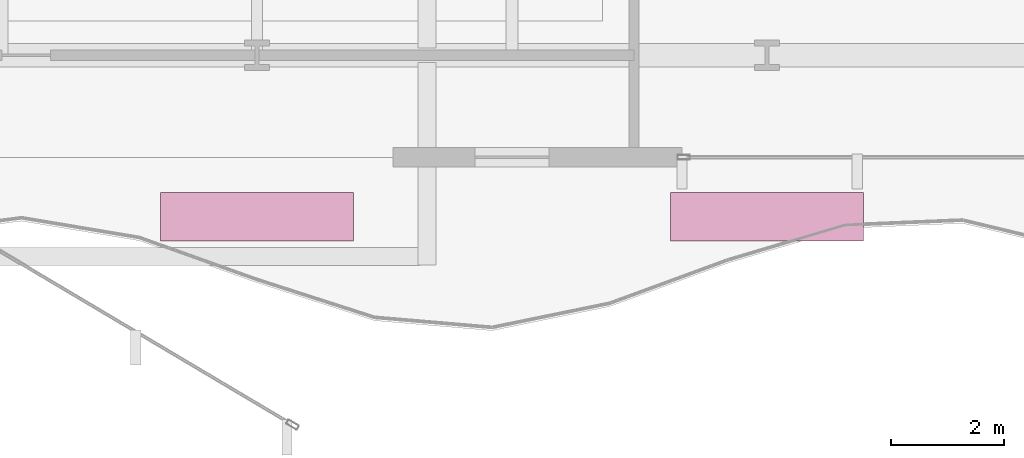
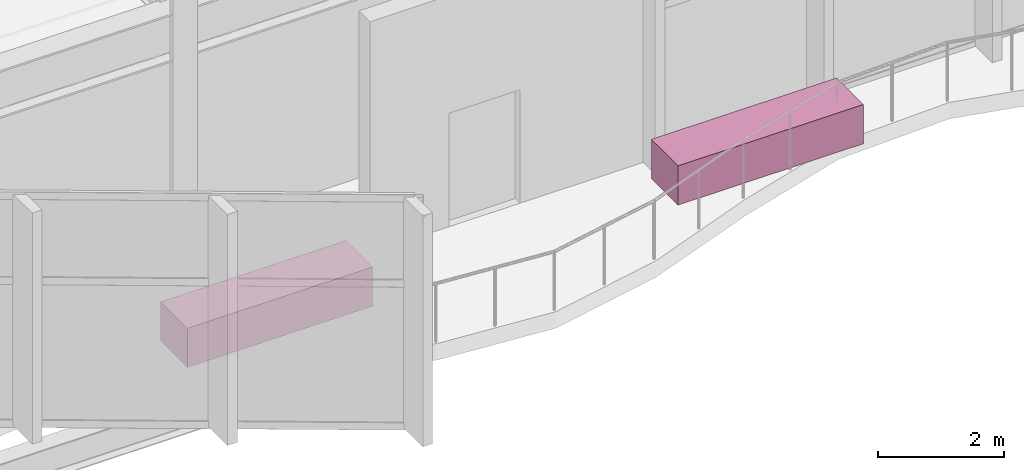
# One storey, part 29 of 29: 2 furnishings.
"""IFC4 building model written with IfcOpenShell, lengths in metres."""

import ifcopenshell
import ifcopenshell.guid

model = None  # the IFC model being written
_history = None  # IfcOwnerHistory: only IFC2X3 demands one
_inside = {}  # id of a spatial element -> (the spatial element, [elements in it])
_under = {}  # id of a project, library or spatial element -> (it, [spatial elements below it])
_declared = {}  # id of a project -> (the project, [libraries it declares])
_typed = {}  # id of a type object -> (the type object, [elements of that type])
_made_of = {}  # id of a material, layer set ... -> (it, [elements and type objects made of it])


def new_model(schema):
    """Start an empty IFC model of exactly this schema.

    Asked for "IFC4X3", IfcOpenShell would pick the latest addendum, in which some entities
    have other attributes; the version numbers below select the first issue.
    IFC2X3 requires an IfcOwnerHistory on every rooted entity: one is made here for all.
    """
    global model, _history
    if schema == "IFC4X3":
        model = ifcopenshell.file(schema_version=(4, 3, 0, 0))
    else:
        model = ifcopenshell.file(schema=schema)
    _inside.clear()
    _under.clear()
    _declared.clear()
    _typed.clear()
    _made_of.clear()
    _history = None
    if model.schema == "IFC2X3":
        org = make("IfcOrganization", Name="unknown")
        user = make(
            "IfcPersonAndOrganization",
            ThePerson=make("IfcPerson", FamilyName="unknown"),
            TheOrganization=org,
        )
        app = make(
            "IfcApplication",
            ApplicationDeveloper=org,
            Version="unknown",
            ApplicationFullName="unknown",
            ApplicationIdentifier="unknown",
        )
        _history = make(
            "IfcOwnerHistory",
            OwningUser=user,
            OwningApplication=app,
            ChangeAction="ADDED",
            CreationDate=0,
        )
    return model


def make(cls, **values):
    """One entity of the class cls with the attributes given. An attribute that is None is left unset."""
    return model.create_entity(
        cls, **{name: value for name, value in values.items() if value is not None}
    )


def rooted(cls, **values):
    """An entity with a GlobalId (a new one), such as an element, a storey or a relation."""
    return make(cls, GlobalId=ifcopenshell.guid.new(), OwnerHistory=_history, **values)


def si_unit(unit_type, name, prefix=None):
    """IfcSIUnit, for example si_unit("LENGTHUNIT", "METRE", prefix="MILLI")."""
    return make("IfcSIUnit", UnitType=unit_type, Prefix=prefix, Name=name)


def assignment(units):
    """IfcUnitAssignment: the units of a project."""
    return None if units is None else make("IfcUnitAssignment", Units=units)


def point(xyz):
    """IfcCartesianPoint."""
    return None if xyz is None else make("IfcCartesianPoint", Coordinates=xyz)


def direction(xyz):
    """IfcDirection."""
    return None if xyz is None else make("IfcDirection", DirectionRatios=xyz)


def frame(location, z_axis=None, x_axis=None):
    """IfcAxis2Placement3D, a coordinate frame: its origin and axes. An axis left out is left unset."""
    return make(
        "IfcAxis2Placement3D",
        Location=point(location),
        Axis=direction(z_axis),
        RefDirection=direction(x_axis),
    )


def frame_2d(location, x_axis=None):
    """IfcAxis2Placement2D, a coordinate frame in the plane: its origin and x axis."""
    return make(
        "IfcAxis2Placement2D", Location=point(location), RefDirection=direction(x_axis)
    )


def origin():
    """The frame at (0, 0, 0) with its axes left unset."""
    return frame((0.0, 0.0, 0.0))


def origin_2d():
    """The frame at (0, 0) in the plane with its x axis left unset."""
    return frame_2d((0.0, 0.0))


def place(relative_to, where):
    """IfcLocalPlacement: puts the frame where relative to a parent placement (None: the world)."""
    return make(
        "IfcLocalPlacement", PlacementRelTo=relative_to, RelativePlacement=where
    )


def context(
    kind, dimensions, precision=None, world=None, true_north=None, identifier=None
):
    """IfcGeometricRepresentationContext, for example the 3D "Model" context."""
    return make(
        "IfcGeometricRepresentationContext",
        ContextIdentifier=identifier,
        ContextType=kind,
        CoordinateSpaceDimension=dimensions,
        Precision=precision,
        WorldCoordinateSystem=world,
        TrueNorth=true_north,
    )


def subcontext(parent, identifier, kind, view, scale=None):
    """IfcGeometricRepresentationSubContext, for example "Body" below "Model"."""
    return make(
        "IfcGeometricRepresentationSubContext",
        ContextIdentifier=identifier,
        ContextType=kind,
        ParentContext=parent,
        TargetScale=scale,
        TargetView=view,
    )


def project(units=None, contexts=None):
    """IfcProject with its units and contexts."""
    return rooted(
        "IfcProject",
        Name="project",
        RepresentationContexts=contexts,
        UnitsInContext=assignment(units),
    )


def spatial(cls, under=None, at=None, **own):
    """A site, building, storey or space (cls), placed at a placement, below another one or the project."""
    s = rooted(cls, ObjectPlacement=at, **own)
    if under is not None:
        _under.setdefault(under.id(), (under, []))[1].append(s)
    return s


def profile(cls, at=None, kind="AREA", **sizes):
    """A parametric profile (cls). Its sizes go by their IFC names, for example OverallWidth=200.0."""
    return make(cls, ProfileType=kind, Position=at, **sizes)


def rectangle(**sizes):
    """IfcRectangleProfileDef."""
    return profile("IfcRectangleProfileDef", **sizes)


def extrude(swept, where, along, depth):
    """IfcExtrudedAreaSolid: the profile swept, set in the frame where, extruded along a direction by depth."""
    return make(
        "IfcExtrudedAreaSolid",
        SweptArea=swept,
        Position=where,
        ExtrudedDirection=direction(along),
        Depth=depth,
    )


def shape(context_of_items, identifier, shape_type, items):
    """IfcShapeRepresentation: the items that make up one representation, for example the "Body"."""
    return make(
        "IfcShapeRepresentation",
        ContextOfItems=context_of_items,
        RepresentationIdentifier=identifier,
        RepresentationType=shape_type,
        Items=items,
    )


def material(Name=None, Category=None):
    """IfcMaterial."""
    return make("IfcMaterial", Name=Name, Category=Category)


def made_of(thing, what):
    """Note that an element or type object is made of a material, layer set ...; save() writes the relation."""
    if what is not None:
        _made_of.setdefault(what.id(), (what, []))[1].append(thing)
    return thing


def type_object(cls, material=None, **own):
    """A type object (cls), such as IfcWallType, which elements share."""
    return made_of(rooted(cls, **own), material)


def element(
    cls,
    number,
    at=None,
    inside=None,
    cuts=None,
    type_object=None,
    material=None,
    context=None,
    identifier="Body",
    shape_type=None,
    held_by="IfcProductDefinitionShape",
    body=None,
    shapes=None,
    **own,
):
    """One element of the class cls, such as IfcWall. Its Tag is "e" and its number.

    at: its placement. inside: the storey or other place that contains it. cuts: it is an
    opening in that element (IfcRelVoidsElement). A single representation is given by context,
    identifier, shape_type and body (its items); several are given by shapes. held_by: the class
    of the entity that holds the representations. save() writes the other relations.
    """
    e = rooted(cls, Tag="e%d" % number, ObjectPlacement=at, **own)
    if body is not None:
        shapes = [shape(context, identifier, shape_type, body)]
    if shapes is not None:
        e.Representation = make(held_by, Representations=shapes)
    if inside is not None:
        _inside.setdefault(inside.id(), (inside, []))[1].append(e)
    if cuts is not None:
        rooted(
            "IfcRelVoidsElement", RelatingBuildingElement=cuts, RelatedOpeningElement=e
        )
    if type_object is not None:
        _typed.setdefault(type_object.id(), (type_object, []))[1].append(e)
    return made_of(e, material)


def aggregate(whole, parts):
    """IfcRelAggregates: a whole, such as a stair, and the parts it consists of."""
    return rooted("IfcRelAggregates", RelatingObject=whole, RelatedObjects=parts)


def save(model, path):
    """Write the relations noted so far, then the file.

    IfcRelAggregates (storeys below a building ...), IfcRelContainedInSpatialStructure (elements
    in a storey), IfcRelDefinesByType, IfcRelAssociatesMaterial and IfcRelDeclares: one each for
    every whole, place, type object, material and project.
    """
    for whole, parts in _under.values():
        aggregate(whole, parts)
    for where, things in _inside.values():
        rooted(
            "IfcRelContainedInSpatialStructure",
            RelatedElements=things,
            RelatingStructure=where,
        )
    for kind, things in _typed.values():
        rooted("IfcRelDefinesByType", RelatedObjects=things, RelatingType=kind)
    for what, things in _made_of.values():
        rooted("IfcRelAssociatesMaterial", RelatedObjects=things, RelatingMaterial=what)
    for by, libraries in _declared.values():
        rooted("IfcRelDeclares", RelatingContext=by, RelatedDefinitions=libraries)
    model.write(path)


model = new_model("IFC4")

# Units and contexts
model_context = context("Model", 3, precision=1e-05, world=origin(), true_north=direction((0.0, 1.0)))
body_context = subcontext(model_context, "Body", "Model", "MODEL_VIEW")
ifc_project = project(units=[si_unit("LENGTHUNIT", "METRE"), si_unit("AREAUNIT", "SQUARE_METRE"), si_unit("VOLUMEUNIT", "CUBIC_METRE"), si_unit("PLANEANGLEUNIT", "RADIAN"), si_unit("MASSUNIT", "GRAM", prefix="KILO")], contexts=[model_context])

# Site, building, storey
site_placement = place(None, origin())
site = spatial("IfcSite", under=ifc_project, at=site_placement, CompositionType="ELEMENT")
building_placement = place(site_placement, origin())
building = spatial("IfcBuilding", under=site, at=building_placement, Name="Solvaryn Broadcast Tower", CompositionType="ELEMENT")
storey_placement = place(building_placement, frame((0.0, 0.0, 21.199951171875)))
storey = spatial("IfcBuildingStorey", under=building, at=storey_placement, Name="L04", CompositionType="ELEMENT", Elevation=21.199951171875)

# Furnishings
ifc_material = material(Name="Architectural Terracotta Planter Bed", Category="masonry")
furnishing_element_type = type_object("IfcFurnishingElementType", Name="PLB-01 Garden Planter Bed", material=ifc_material)
for number, where, z_axis, x_axis, name in (
    (1, (18.0, 6.14990234375, 0.0), (0.0, 0.0, 1.0), (1.0, 0.0, 0.0), "L04 Planted Terrace Planter PLANTER-TS-POD-L04-S-1"),
    (2, (27.0, 6.14990234375, 0.0), (0.0, 0.0, 1.0), (1.0, 0.0, 0.0), "L04 Planted Terrace Planter PLANTER-TS-POD-L04-S-2"),
):
    element("IfcFurnishingElement", number, at=place(storey_placement, frame(where, z_axis=z_axis, x_axis=x_axis)), inside=storey, type_object=furnishing_element_type, Name=name, ObjectType="PLANTER", context=body_context, shape_type="SweptSolid", body=[
        extrude(rectangle(XDim=3.39990234375, YDim=0.85009765625, at=origin_2d()), origin(), (0.0, 0.0, 1.0), 0.760009765625),
    ])

save(model, "model.ifc")
